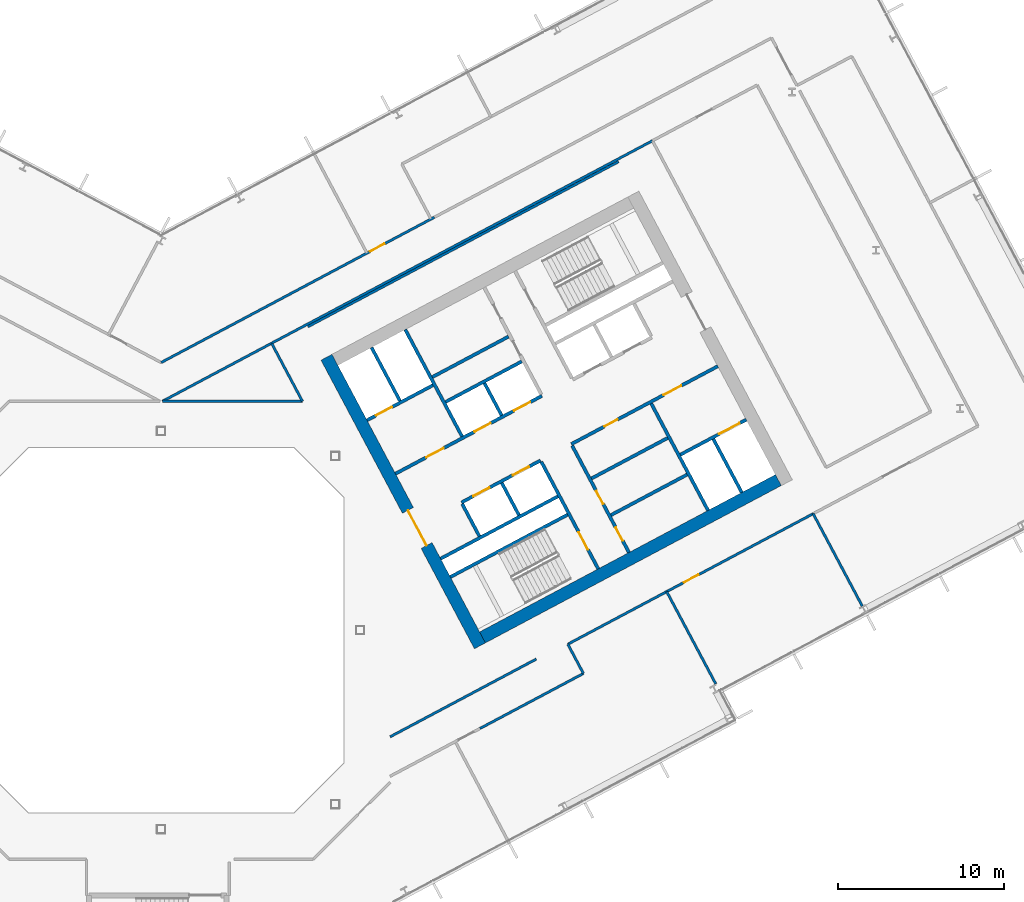
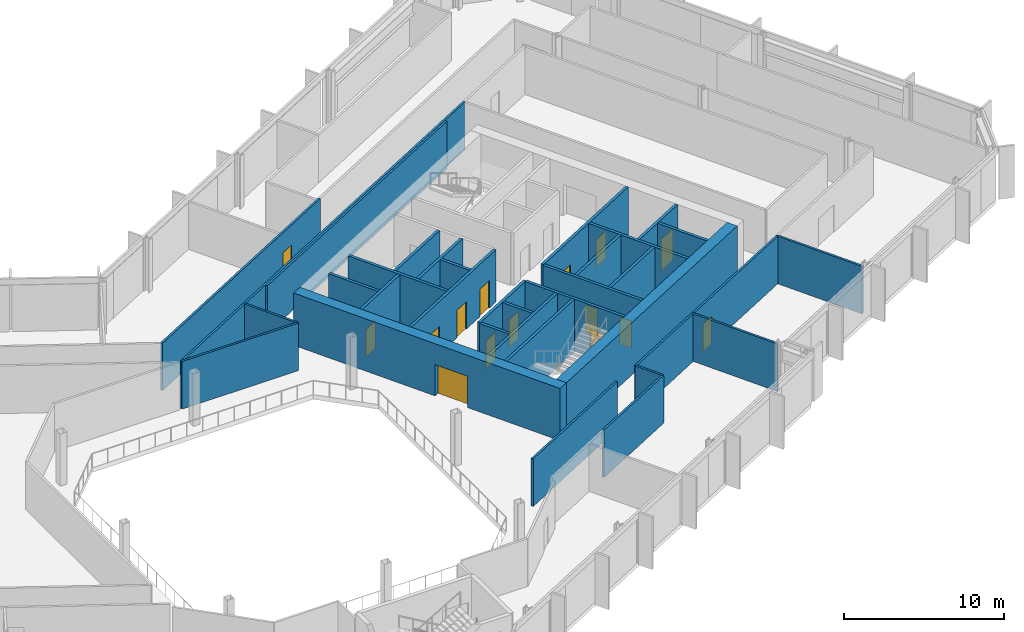
# One storey, part 16 of 28: 33 walls, 15 doors, 15 openings.
"""IFC4 building model written with IfcOpenShell, lengths in metres."""

from ifc_helpers import new_model, si_unit, direction, frame, frame_2d, origin, place, context, subcontext, project, spatial, rectangle, extrude, material, layer, layer_set, type_object, element, fill, save


model = new_model("IFC4")

# Units and contexts
model_context = context("Model", 3, precision=1e-05, world=origin(), true_north=direction((0.0, 1.0)))
body_context = subcontext(model_context, "Body", "Model", "MODEL_VIEW")
ifc_project = project(units=[si_unit("LENGTHUNIT", "METRE"), si_unit("AREAUNIT", "SQUARE_METRE"), si_unit("VOLUMEUNIT", "CUBIC_METRE"), si_unit("PLANEANGLEUNIT", "RADIAN"), si_unit("MASSUNIT", "GRAM", prefix="KILO")], contexts=[model_context])

# Site, building, storey
site_placement = place(None, origin())
site = spatial("IfcSite", under=ifc_project, at=site_placement, CompositionType="ELEMENT")
building_placement = place(site_placement, origin())
building = spatial("IfcBuilding", under=site, at=building_placement, Name="Cormorant Relay Tower", CompositionType="ELEMENT")
storey_placement = place(building_placement, frame((0.0, 0.0, 130.199951171875)))
storey = spatial("IfcBuildingStorey", under=building, at=storey_placement, Name="L26", CompositionType="ELEMENT", Elevation=130.199951171875)

# Walls
ifc_material_1 = material(Name="Concrete 40 MPa", Category="concrete")
ifc_layer_1 = layer(ifc_material_1, 0.199951171875)
ifc_layer_set_1 = layer_set([ifc_layer_1], Name="Core internal wall 200")
wall_type_1 = type_object("IfcWallType", Name="Core internal wall 200", PredefinedType="SOLIDWALL", material=ifc_layer_set_1)
for number, where, z_axis, x_axis, name in (
    (1, (21.567626953125, 6.9375, 0.0), (0.0, 0.0, 1.0), (-0.469533832133, 0.882914480843, 0.0), "L26 core B shaft and room wall"),
    (2, (20.522216796875, 12.950439453125, 0.0), (0.0, 0.0, 1.0), (-0.469401318492, 0.882984938828, 0.0), "L26 core B shaft and room wall"),
):
    element("IfcWall", number, at=place(storey_placement, frame(where, z_axis=z_axis, x_axis=x_axis)), inside=storey, type_object=wall_type_1, Name=name, PredefinedType="SOLIDWALL", context=body_context, shape_type="SweptSolid", body=[
        extrude(rectangle(XDim=2.199951171875, YDim=0.199951171875, at=frame_2d((1.10009765625, 0.0))), origin(), (0.0, 0.0, 1.0), 4.0),
    ])
for number, where, z_axis, x_axis, name in (
    (3, (27.11474609375, 6.942138671875, 0.0), (0.0, 0.0, 1.0), (0.882934506056, 0.469496174655, 0.0), "L26 core B shaft and room wall"),
    (4, (16.3486328125, 15.26171875, 0.0), (0.0, 0.0, 1.0), (0.882953967957, 0.469459572775, 0.0), "L26 core B shaft and room wall"),
):
    element("IfcWall", number, at=place(storey_placement, frame(where, z_axis=z_axis, x_axis=x_axis)), inside=storey, type_object=wall_type_1, Name=name, PredefinedType="SOLIDWALL", context=body_context, shape_type="SweptSolid", body=[
        extrude(rectangle(XDim=5.199951171875, YDim=0.199951171875, at=frame_2d((2.60009765625, 0.0))), origin(), (0.0, 0.0, 1.0), 4.0),
    ])
ifc_material_2 = material(Name="Concrete 50 MPa", Category="concrete")
ifc_layer_2 = layer(ifc_material_2, 0.199951171875)
ifc_layer_set_2 = layer_set([ifc_layer_2], Name="Core shaft wall 200")
wall_type_2 = type_object("IfcWallType", Name="Core shaft wall 200", PredefinedType="SHEAR", material=ifc_layer_set_2)
wall_1_placement = place(storey_placement, frame((14.39404296875, 13.825927734375, 0.0), z_axis=(0.0, 0.0, 1.0), x_axis=(-0.469494272526, 0.882935517501, 0.0)))
element("IfcWall", 5, at=wall_1_placement, inside=storey, type_object=wall_type_2, Name="L26 core B shaft wall", PredefinedType="SHEAR", context=body_context, shape_type="SweptSolid", body=[
    extrude(rectangle(XDim=3.64990234375, YDim=0.199951171875, at=frame_2d((1.824951171875, 0.0))), origin(), (0.0, 0.0, 1.0), 4.0),
])
wall_2_placement = place(storey_placement, frame((19.18359375, 5.669921875, 0.0), z_axis=(0.0, 0.0, 1.0), x_axis=(-0.4694473164, 0.882960484464, 0.0)))
element("IfcWall", 6, at=wall_2_placement, inside=storey, type_object=wall_type_2, Name="L26 core B shaft wall", PredefinedType="SHEAR", context=body_context, shape_type="SweptSolid", body=[
    extrude(rectangle(XDim=2.199951171875, YDim=0.199951171875, at=frame_2d((1.10009765625, 0.0))), origin(), (0.0, 0.0, 1.0), 4.0),
])
wall_3_placement = place(storey_placement, frame((18.138427734375, 11.682861328125, 0.0), z_axis=(0.0, 0.0, 1.0), x_axis=(-0.469480409012, 0.88294288918, 0.0)))
element("IfcWall", 7, at=wall_3_placement, inside=storey, type_object=wall_type_2, Name="L26 core B shaft wall", PredefinedType="SHEAR", context=body_context, shape_type="SweptSolid", body=[
    extrude(rectangle(XDim=7.300048828125, YDim=0.199951171875, at=frame_2d((3.64990234375, 0.0))), origin(), (0.0, 0.0, 1.0), 4.0),
])

# Wall, opening, door
wall_4_placement = place(storey_placement, frame((26.345947265625, 3.701904296875, 0.0), z_axis=(0.0, 0.0, 1.0), x_axis=(-0.469480409012, 0.88294288918, 0.0)))
wall_4 = element("IfcWall", 8, at=wall_4_placement, inside=storey, type_object=wall_type_2, Name="L26 core B shaft wall", PredefinedType="SHEAR", context=body_context, shape_type="SweptSolid", body=[
    extrude(rectangle(XDim=7.300048828125, YDim=0.199951171875, at=frame_2d((3.64990234375, 0.0))), origin(), (0.0, 0.0, 1.0), 4.0),
])
opening_1_placement = place(wall_4_placement, frame((1.300048828125, 0.0, 0.0)))
opening_1 = element("IfcOpeningElement", 9, at=opening_1_placement, cuts=wall_4, Name="Opening CDB-036", PredefinedType="OPENING", context=body_context, shape_type="SweptSolid", body=[
    extrude(rectangle(XDim=1.199951171875, YDim=2.10009765625, at=frame_2d((0.60009765625, 1.050048828125))), frame((0.0, 0.10986328125, 0.0), z_axis=(0.0, -1.0, 0.0), x_axis=(1.0, 0.0, 0.0)), (0.0, 0.0, 1.0), 0.219970703125),
])
ifc_material_3 = material(Name="Steel fire door", Category="steel")
door_type_1 = type_object("IfcDoorType", Name="Core stair door 1200x2100", OperationType="SINGLE_SWING_LEFT", PredefinedType="DOOR", material=ifc_material_3)
door_1_placement = place(opening_1_placement, origin())
door_1 = element("IfcDoor", 10, at=door_1_placement, inside=storey, type_object=door_type_1, Name="Core stair door 1200x2100", OperationType="SINGLE_SWING_RIGHT", OverallHeight=2.10009765625, OverallWidth=1.199951171875, PredefinedType="DOOR", context=body_context, shape_type="SweptSolid", body=[
    extrude(rectangle(XDim=1.199951171875, YDim=2.10009765625, at=frame_2d((0.60009765625, 1.050048828125))), frame((0.0, 0.02490234375, 0.0), z_axis=(0.0, -1.0, 0.0), x_axis=(1.0, 0.0, 0.0)), (0.0, 0.0, 1.0), 0.050048828125),
])
fill(opening_1, door_1)

# Wall, openings, doors
wall_5_placement = place(storey_placement, frame((28.199951171875, 4.687744140625, 0.0), z_axis=(0.0, 0.0, 1.0), x_axis=(-0.469454336211, 0.882956752176, 0.0)))
wall_5 = element("IfcWall", 11, at=wall_5_placement, inside=storey, type_object=wall_type_2, Name="L26 core B shaft wall", PredefinedType="SHEAR", context=body_context, shape_type="SweptSolid", body=[
    extrude(rectangle(XDim=7.300048828125, YDim=0.199951171875, at=frame_2d((3.64990234375, 0.0))), origin(), (0.0, 0.0, 1.0), 4.0),
])
opening_2_placement = place(wall_5_placement, frame((0.800048828125, 0.0, 0.0)))
opening_2 = element("IfcOpeningElement", 12, at=opening_2_placement, cuts=wall_5, Name="Opening CDD-194", PredefinedType="OPENING", context=body_context, shape_type="SweptSolid", body=[
    extrude(rectangle(XDim=0.89990234375, YDim=2.10009765625, at=frame_2d((0.449951171875, 1.050048828125))), frame((0.0, 0.10986328125, 0.0), z_axis=(0.0, -1.0, 0.0), x_axis=(1.0, 0.0, 0.0)), (0.0, 0.0, 1.0), 0.219970703125),
])
opening_3_placement = place(wall_5_placement, frame((3.300048828125, 0.0, 0.0)))
opening_3 = element("IfcOpeningElement", 13, at=opening_3_placement, cuts=wall_5, Name="Opening CDD-195", PredefinedType="OPENING", context=body_context, shape_type="SweptSolid", body=[
    extrude(rectangle(XDim=0.89990234375, YDim=2.10009765625, at=frame_2d((0.449951171875, 1.050048828125))), frame((0.0, 0.10986328125, 0.0), z_axis=(0.0, -1.0, 0.0), x_axis=(1.0, 0.0, 0.0)), (0.0, 0.0, 1.0), 0.219970703125),
])
ifc_material_4 = material(Name="Steel fire door", Category="steel")
door_type_2 = type_object("IfcDoorType", Name="Core room door 900x2100", OperationType="SINGLE_SWING_LEFT", PredefinedType="DOOR", material=ifc_material_4)
door_2_placement = place(opening_2_placement, frame((0.89990234375, 0.0, 0.0), z_axis=(0.0, 0.0, 1.0), x_axis=(-1.0, 0.0, 0.0)))
door_2 = element("IfcDoor", 14, at=door_2_placement, inside=storey, type_object=door_type_2, Name="Core room door 900x2100", OperationType="SINGLE_SWING_LEFT", OverallHeight=2.10009765625, OverallWidth=0.89990234375, PredefinedType="DOOR", context=body_context, shape_type="SweptSolid", body=[
    extrude(rectangle(XDim=0.89990234375, YDim=2.10009765625, at=frame_2d((0.449951171875, 1.050048828125))), frame((0.0, 0.02490234375, 0.0), z_axis=(0.0, -1.0, 0.0), x_axis=(1.0, 0.0, 0.0)), (0.0, 0.0, 1.0), 0.050048828125),
])
fill(opening_2, door_2)
door_3_placement = place(opening_3_placement, frame((0.89990234375, 0.0, 0.0), z_axis=(0.0, 0.0, 1.0), x_axis=(-1.0, 0.0, 0.0)))
door_3 = element("IfcDoor", 15, at=door_3_placement, inside=storey, type_object=door_type_2, Name="Core room door 900x2100", OperationType="SINGLE_SWING_LEFT", OverallHeight=2.10009765625, OverallWidth=0.89990234375, PredefinedType="DOOR", context=body_context, shape_type="SweptSolid", body=[
    extrude(rectangle(XDim=0.89990234375, YDim=2.10009765625, at=frame_2d((0.449951171875, 1.050048828125))), frame((0.0, 0.02490234375, 0.0), z_axis=(0.0, -1.0, 0.0), x_axis=(1.0, 0.0, 0.0)), (0.0, 0.0, 1.0), 0.050048828125),
])
fill(opening_3, door_3)

# Walls
wall_6_placement = place(storey_placement, frame((32.968017578125, 7.222900390625, 0.0), z_axis=(0.0, 0.0, 1.0), x_axis=(-0.469480409012, 0.88294288918, 0.0)))
element("IfcWall", 16, at=wall_6_placement, inside=storey, type_object=wall_type_2, Name="L26 core B shaft wall", PredefinedType="SHEAR", context=body_context, shape_type="SweptSolid", body=[
    extrude(rectangle(XDim=7.300048828125, YDim=0.199951171875, at=frame_2d((3.64990234375, 0.0))), origin(), (0.0, 0.0, 1.0), 4.0),
])
wall_7_placement = place(storey_placement, frame((34.998779296875, 8.302734375, 0.0), z_axis=(0.0, 0.0, 1.0), x_axis=(-0.4694665462, 0.882950260207, 0.0)))
element("IfcWall", 17, at=wall_7_placement, inside=storey, type_object=wall_type_2, Name="L26 core B shaft wall", PredefinedType="SHEAR", context=body_context, shape_type="SweptSolid", body=[
    extrude(rectangle(XDim=3.650146484375, YDim=0.199951171875, at=frame_2d((1.8251953125, 0.0))), origin(), (0.0, 0.0, 1.0), 4.0),
])
wall_8_placement = place(storey_placement, frame((17.43359375, 3.210205078125, 0.0), z_axis=(0.0, 0.0, 1.0), x_axis=(0.882940221191, 0.469485426614, 0.0)))
element("IfcWall", 18, at=wall_8_placement, inside=storey, type_object=wall_type_2, Name="L26 core B shaft wall", PredefinedType="SHEAR", context=body_context, shape_type="SweptSolid", body=[
    extrude(rectangle(XDim=8.0, YDim=0.199951171875, at=frame_2d((4.0, 0.0))), origin(), (0.0, 0.0, 1.0), 4.0),
])

# Wall, opening, door
wall_9_placement = place(storey_placement, frame((31.295654296875, 10.5810546875, 0.0), z_axis=(0.0, 0.0, 1.0), x_axis=(0.882960433586, 0.469447412093, 0.0)))
wall_9 = element("IfcWall", 19, at=wall_9_placement, inside=storey, type_object=wall_type_2, Name="L26 core B shaft wall", PredefinedType="SHEAR", context=body_context, shape_type="SweptSolid", body=[
    extrude(rectangle(XDim=4.5, YDim=0.199951171875, at=frame_2d((2.25, 0.0))), origin(), (0.0, 0.0, 1.0), 4.0),
])
opening_4_placement = place(wall_9_placement, frame((2.64990234375, 0.0, 0.0)))
opening_4 = element("IfcOpeningElement", 20, at=opening_4_placement, cuts=wall_9, Name="Opening LD3-014", PredefinedType="OPENING", context=body_context, shape_type="SweptSolid", body=[
    extrude(rectangle(XDim=1.39990234375, YDim=2.39990234375, at=frame_2d((0.699951171875, 1.199951171875))), frame((0.0, 0.10986328125, 0.0), z_axis=(0.0, -1.0, 0.0), x_axis=(1.0, 0.0, 0.0)), (0.0, 0.0, 1.0), 0.219970703125),
])
ifc_material_5 = material(Name="Stainless steel 316", Category="steel")
door_type_3 = type_object("IfcDoorType", Name="Lift landing door 1400x2400", OperationType="DOUBLE_DOOR_SLIDING", PredefinedType="DOOR", material=ifc_material_5)
door_4_placement = place(opening_4_placement, origin())
door_4 = element("IfcDoor", 21, at=door_4_placement, inside=storey, type_object=door_type_3, Name="SV2 landing door", OperationType="DOUBLE_DOOR_SLIDING", OverallHeight=2.39990234375, OverallWidth=1.39990234375, PredefinedType="DOOR", context=body_context, shape_type="SweptSolid", body=[
    extrude(rectangle(XDim=1.39990234375, YDim=2.39990234375, at=frame_2d((0.699951171875, 1.199951171875))), frame((0.0, 0.02490234375, 0.0), z_axis=(0.0, -1.0, 0.0), x_axis=(1.0, 0.0, 0.0)), (0.0, 0.0, 1.0), 0.050048828125),
])
fill(opening_4, door_4)

# Walls
wall_10_placement = place(storey_placement, frame((16.8466796875, 4.31396484375, 0.0), z_axis=(0.0, 0.0, 1.0), x_axis=(0.882940221191, 0.469485426614, 0.0)))
element("IfcWall", 22, at=wall_10_placement, inside=storey, type_object=wall_type_2, Name="L26 core B shaft wall", PredefinedType="SHEAR", context=body_context, shape_type="SweptSolid", body=[
    extrude(rectangle(XDim=8.0, YDim=0.199951171875, at=frame_2d((4.0, 0.0))), origin(), (0.0, 0.0, 1.0), 4.0),
])
wall_11_placement = place(storey_placement, frame((25.94091796875, 9.149658203125, 0.0), z_axis=(0.0, 0.0, 1.0), x_axis=(0.882953967957, 0.469459572775, 0.0)))
element("IfcWall", 23, at=wall_11_placement, inside=storey, type_object=wall_type_2, Name="L26 core B shaft wall", PredefinedType="SHEAR", context=body_context, shape_type="SweptSolid", body=[
    extrude(rectangle(XDim=5.199951171875, YDim=0.199951171875, at=frame_2d((2.60009765625, 0.0))), origin(), (0.0, 0.0, 1.0), 4.0),
])

# Wall, openings, doors
wall_12_placement = place(storey_placement, frame((18.103759765625, 7.70068359375, 0.0), z_axis=(0.0, 0.0, 1.0), x_axis=(0.882952937579, 0.469461510692, 0.0)))
wall_12 = element("IfcWall", 24, at=wall_12_placement, inside=storey, type_object=wall_type_2, Name="L26 core B shaft wall", PredefinedType="SHEAR", context=body_context, shape_type="SweptSolid", body=[
    extrude(rectangle(XDim=5.400146484375, YDim=0.199951171875, at=frame_2d((2.7001953125, 0.0))), origin(), (0.0, 0.0, 1.0), 4.0),
])
opening_5_placement = place(wall_12_placement, frame((0.800048828125, 0.0, 0.0)))
opening_5 = element("IfcOpeningElement", 25, at=opening_5_placement, cuts=wall_12, Name="Opening LD1-048", PredefinedType="OPENING", context=body_context, shape_type="SweptSolid", body=[
    extrude(rectangle(XDim=1.10009765625, YDim=2.10009765625, at=frame_2d((0.550048828125, 1.050048828125))), frame((0.0, 0.10986328125, 0.0), z_axis=(0.0, -1.0, 0.0), x_axis=(1.0, 0.0, 0.0)), (0.0, 0.0, 1.0), 0.219970703125),
])
opening_6_placement = place(wall_12_placement, frame((3.5, 0.0, 0.0)))
opening_6 = element("IfcOpeningElement", 26, at=opening_6_placement, cuts=wall_12, Name="Opening LD1-049", PredefinedType="OPENING", context=body_context, shape_type="SweptSolid", body=[
    extrude(rectangle(XDim=1.10009765625, YDim=2.10009765625, at=frame_2d((0.550048828125, 1.050048828125))), frame((0.0, 0.10986328125, 0.0), z_axis=(0.0, -1.0, 0.0), x_axis=(1.0, 0.0, 0.0)), (0.0, 0.0, 1.0), 0.219970703125),
])
ifc_material_6 = material(Name="Stainless steel 316", Category="steel")
door_type_4 = type_object("IfcDoorType", Name="Lift landing door 1100x2100", OperationType="DOUBLE_DOOR_SLIDING", PredefinedType="DOOR", material=ifc_material_6)
door_5_placement = place(opening_5_placement, origin())
door_5 = element("IfcDoor", 27, at=door_5_placement, inside=storey, type_object=door_type_4, Name="LR5 landing door", OperationType="DOUBLE_DOOR_SLIDING", OverallHeight=2.10009765625, OverallWidth=1.10009765625, PredefinedType="DOOR", context=body_context, shape_type="SweptSolid", body=[
    extrude(rectangle(XDim=1.10009765625, YDim=2.10009765625, at=frame_2d((0.550048828125, 1.050048828125))), frame((0.0, 0.02490234375, 0.0), z_axis=(0.0, -1.0, 0.0), x_axis=(1.0, 0.0, 0.0)), (0.0, 0.0, 1.0), 0.050048828125),
])
fill(opening_5, door_5)
door_6_placement = place(opening_6_placement, origin())
door_6 = element("IfcDoor", 28, at=door_6_placement, inside=storey, type_object=door_type_4, Name="LR6 landing door", OperationType="DOUBLE_DOOR_SLIDING", OverallHeight=2.10009765625, OverallWidth=1.10009765625, PredefinedType="DOOR", context=body_context, shape_type="SweptSolid", body=[
    extrude(rectangle(XDim=1.10009765625, YDim=2.10009765625, at=frame_2d((0.550048828125, 1.050048828125))), frame((0.0, 0.02490234375, 0.0), z_axis=(0.0, -1.0, 0.0), x_axis=(1.0, 0.0, 0.0)), (0.0, 0.0, 1.0), 0.050048828125),
])
fill(opening_6, door_6)

wall_13_placement = place(storey_placement, frame((24.72607421875, 11.2216796875, 0.0), z_axis=(0.0, 0.0, 1.0), x_axis=(0.882940221191, 0.469485426614, 0.0)))
wall_13 = element("IfcWall", 29, at=wall_13_placement, inside=storey, type_object=wall_type_2, Name="L26 core B shaft wall", PredefinedType="SHEAR", context=body_context, shape_type="SweptSolid", body=[
    extrude(rectangle(XDim=10.0, YDim=0.199951171875, at=frame_2d((5.0, 0.0))), origin(), (0.0, 0.0, 1.0), 4.0),
])
opening_7_placement = place(wall_13_placement, frame((6.300048828125, 0.0, 0.0)))
opening_7 = element("IfcOpeningElement", 30, at=opening_7_placement, cuts=wall_13, Name="Opening CDC-030", PredefinedType="OPENING", context=body_context, shape_type="SweptSolid", body=[
    extrude(rectangle(XDim=1.199951171875, YDim=2.10009765625, at=frame_2d((0.60009765625, 1.050048828125))), frame((0.0, 0.10986328125, 0.0), z_axis=(0.0, -1.0, 0.0), x_axis=(1.0, 0.0, 0.0)), (0.0, 0.0, 1.0), 0.219970703125),
])
opening_8_placement = place(wall_13_placement, frame((2.25, 0.0, 0.0)))
opening_8 = element("IfcOpeningElement", 31, at=opening_8_placement, cuts=wall_13, Name="Opening CDD-191", PredefinedType="OPENING", context=body_context, shape_type="SweptSolid", body=[
    extrude(rectangle(XDim=0.89990234375, YDim=2.10009765625, at=frame_2d((0.449951171875, 1.050048828125))), frame((0.0, 0.10986328125, 0.0), z_axis=(0.0, -1.0, 0.0), x_axis=(1.0, 0.0, 0.0)), (0.0, 0.0, 1.0), 0.219970703125),
])
ifc_material_7 = material(Name="Steel fire door", Category="steel")
door_type_5 = type_object("IfcDoorType", Name="Core lobby door 1200x2100", OperationType="SINGLE_SWING_LEFT", PredefinedType="DOOR", material=ifc_material_7)
door_7_placement = place(opening_7_placement, origin())
door_7 = element("IfcDoor", 32, at=door_7_placement, inside=storey, type_object=door_type_5, Name="Core lobby door 1200x2100", OperationType="SINGLE_SWING_LEFT", OverallHeight=2.10009765625, OverallWidth=1.199951171875, PredefinedType="DOOR", context=body_context, shape_type="SweptSolid", body=[
    extrude(rectangle(XDim=1.199951171875, YDim=2.10009765625, at=frame_2d((0.60009765625, 1.050048828125))), frame((0.0, 0.02490234375, 0.0), z_axis=(0.0, -1.0, 0.0), x_axis=(1.0, 0.0, 0.0)), (0.0, 0.0, 1.0), 0.050048828125),
])
fill(opening_7, door_7)
door_8_placement = place(opening_8_placement, origin())
door_8 = element("IfcDoor", 33, at=door_8_placement, inside=storey, type_object=door_type_2, Name="Core room door 900x2100", OperationType="SINGLE_SWING_LEFT", OverallHeight=2.10009765625, OverallWidth=0.89990234375, PredefinedType="DOOR", context=body_context, shape_type="SweptSolid", body=[
    extrude(rectangle(XDim=0.89990234375, YDim=2.10009765625, at=frame_2d((0.449951171875, 1.050048828125))), frame((0.0, 0.02490234375, 0.0), z_axis=(0.0, -1.0, 0.0), x_axis=(1.0, 0.0, 0.0)), (0.0, 0.0, 1.0), 0.050048828125),
])
fill(opening_8, door_8)

wall_14_placement = place(storey_placement, frame((14.123779296875, 9.43505859375, 0.0), z_axis=(0.0, 0.0, 1.0), x_axis=(0.882940221191, 0.469485426614, 0.0)))
wall_14 = element("IfcWall", 34, at=wall_14_placement, inside=storey, type_object=wall_type_2, Name="L26 core B shaft wall", PredefinedType="SHEAR", context=body_context, shape_type="SweptSolid", body=[
    extrude(rectangle(XDim=10.0, YDim=0.199951171875, at=frame_2d((5.0, 0.0))), origin(), (0.0, 0.0, 1.0), 4.0),
])
opening_9_placement = place(wall_14_placement, frame((2.10009765625, 0.0, 0.0)))
opening_9 = element("IfcOpeningElement", 35, at=opening_9_placement, cuts=wall_14, Name="Opening CDC-027", PredefinedType="OPENING", context=body_context, shape_type="SweptSolid", body=[
    extrude(rectangle(XDim=1.199951171875, YDim=2.10009765625, at=frame_2d((0.60009765625, 1.050048828125))), frame((0.0, 0.10986328125, 0.0), z_axis=(0.0, -1.0, 0.0), x_axis=(1.0, 0.0, 0.0)), (0.0, 0.0, 1.0), 0.219970703125),
])
opening_10_placement = place(wall_14_placement, frame((5.39990234375, 0.0, 0.0)))
opening_10 = element("IfcOpeningElement", 36, at=opening_10_placement, cuts=wall_14, Name="Opening LD1-044", PredefinedType="OPENING", context=body_context, shape_type="SweptSolid", body=[
    extrude(rectangle(XDim=1.10009765625, YDim=2.10009765625, at=frame_2d((0.550048828125, 1.050048828125))), frame((0.0, 0.10986328125, 0.0), z_axis=(0.0, -1.0, 0.0), x_axis=(1.0, 0.0, 0.0)), (0.0, 0.0, 1.0), 0.219970703125),
])
opening_11_placement = place(wall_14_placement, frame((8.10009765625, 0.0, 0.0)))
opening_11 = element("IfcOpeningElement", 37, at=opening_11_placement, cuts=wall_14, Name="Opening LD1-045", PredefinedType="OPENING", context=body_context, shape_type="SweptSolid", body=[
    extrude(rectangle(XDim=1.10009765625, YDim=2.10009765625, at=frame_2d((0.550048828125, 1.050048828125))), frame((0.0, 0.10986328125, 0.0), z_axis=(0.0, -1.0, 0.0), x_axis=(1.0, 0.0, 0.0)), (0.0, 0.0, 1.0), 0.219970703125),
])
door_9_placement = place(opening_9_placement, origin())
door_9 = element("IfcDoor", 38, at=door_9_placement, inside=storey, type_object=door_type_5, Name="Core lobby door 1200x2100", OperationType="SINGLE_SWING_RIGHT", OverallHeight=2.10009765625, OverallWidth=1.199951171875, PredefinedType="DOOR", context=body_context, shape_type="SweptSolid", body=[
    extrude(rectangle(XDim=1.199951171875, YDim=2.10009765625, at=frame_2d((0.60009765625, 1.050048828125))), frame((0.0, 0.02490234375, 0.0), z_axis=(0.0, -1.0, 0.0), x_axis=(1.0, 0.0, 0.0)), (0.0, 0.0, 1.0), 0.050048828125),
])
fill(opening_9, door_9)
door_10_placement = place(opening_10_placement, origin())
door_10 = element("IfcDoor", 39, at=door_10_placement, inside=storey, type_object=door_type_4, Name="LR1 landing door", OperationType="DOUBLE_DOOR_SLIDING", OverallHeight=2.10009765625, OverallWidth=1.10009765625, PredefinedType="DOOR", context=body_context, shape_type="SweptSolid", body=[
    extrude(rectangle(XDim=1.10009765625, YDim=2.10009765625, at=frame_2d((0.550048828125, 1.050048828125))), frame((0.0, 0.02490234375, 0.0), z_axis=(0.0, -1.0, 0.0), x_axis=(1.0, 0.0, 0.0)), (0.0, 0.0, 1.0), 0.050048828125),
])
fill(opening_10, door_10)
door_11_placement = place(opening_11_placement, origin())
door_11 = element("IfcDoor", 40, at=door_11_placement, inside=storey, type_object=door_type_4, Name="LR2 landing door", OperationType="DOUBLE_DOOR_SLIDING", OverallHeight=2.10009765625, OverallWidth=1.10009765625, PredefinedType="DOOR", context=body_context, shape_type="SweptSolid", body=[
    extrude(rectangle(XDim=1.10009765625, YDim=2.10009765625, at=frame_2d((0.550048828125, 1.050048828125))), frame((0.0, 0.02490234375, 0.0), z_axis=(0.0, -1.0, 0.0), x_axis=(1.0, 0.0, 0.0)), (0.0, 0.0, 1.0), 0.050048828125),
])
fill(opening_11, door_11)

# Wall
wall_15_placement = place(storey_placement, frame((17.146728515625, 13.7607421875, 0.0), z_axis=(0.0, 0.0, 1.0), x_axis=(0.882964314875, 0.469440111896, 0.0)))
element("IfcWall", 41, at=wall_15_placement, inside=storey, type_object=wall_type_2, Name="L26 core B shaft wall", PredefinedType="SHEAR", context=body_context, shape_type="SweptSolid", body=[
    extrude(rectangle(XDim=5.2001953125, YDim=0.199951171875, at=frame_2d((2.60009765625, 0.0))), origin(), (0.0, 0.0, 1.0), 4.0),
])

# Wall, opening, door
wall_16_placement = place(storey_placement, frame((12.41015625, 12.657958984375, 0.0), z_axis=(0.0, 0.0, 1.0), x_axis=(0.8829484765, 0.469469900894, 0.0)))
wall_16 = element("IfcWall", 42, at=wall_16_placement, inside=storey, type_object=wall_type_2, Name="L26 core B shaft wall", PredefinedType="SHEAR", context=body_context, shape_type="SweptSolid", body=[
    extrude(rectangle(XDim=4.499755859375, YDim=0.199951171875, at=frame_2d((2.25, 0.0))), origin(), (0.0, 0.0, 1.0), 4.0),
])
opening_12_placement = place(wall_16_placement, frame((0.60009765625, 0.0, 0.0)))
opening_12 = element("IfcOpeningElement", 43, at=opening_12_placement, cuts=wall_16, Name="Opening LD1-050", PredefinedType="OPENING", context=body_context, shape_type="SweptSolid", body=[
    extrude(rectangle(XDim=1.10009765625, YDim=2.10009765625, at=frame_2d((0.550048828125, 1.050048828125))), frame((0.0, 0.10986328125, 0.0), z_axis=(0.0, -1.0, 0.0), x_axis=(1.0, 0.0, 0.0)), (0.0, 0.0, 1.0), 0.219970703125),
])
door_12_placement = place(opening_12_placement, origin())
door_12 = element("IfcDoor", 44, at=door_12_placement, inside=storey, type_object=door_type_4, Name="FF2 landing door", OperationType="DOUBLE_DOOR_SLIDING", OverallHeight=2.10009765625, OverallWidth=1.10009765625, PredefinedType="DOOR", context=body_context, shape_type="SweptSolid", body=[
    extrude(rectangle(XDim=1.10009765625, YDim=2.10009765625, at=frame_2d((0.550048828125, 1.050048828125))), frame((0.0, 0.02490234375, 0.0), z_axis=(0.0, -1.0, 0.0), x_axis=(1.0, 0.0, 0.0)), (0.0, 0.0, 1.0), 0.050048828125),
])
fill(opening_12, door_12)

ifc_material_8 = material(Name="Concrete 60 MPa", Category="concrete")
ifc_layer_3 = layer(ifc_material_8, 0.75)
ifc_layer_set_3 = layer_set([ifc_layer_3], Name="Core wall 750")
wall_type_3 = type_object("IfcWallType", Name="Core wall 750", PredefinedType="SHEAR", material=ifc_layer_set_3)
wall_17_placement = place(storey_placement, frame((19.215087890625, -0.93896484375, 0.0), z_axis=(0.0, 0.0, 1.0), x_axis=(-0.469479580143, 0.882943329908, 0.0)))
wall_17 = element("IfcWall", 45, at=wall_17_placement, inside=storey, type_object=wall_type_3, Name="L26 core B wall", PredefinedType="SHEAR", context=body_context, shape_type="SweptSolid", body=[
    extrude(rectangle(XDim=19.699951171875, YDim=0.75, at=frame_2d((9.85009765625, 0.0))), origin(), (0.0, 0.0, 1.0), 4.0),
])
opening_13_placement = place(wall_17_placement, frame((6.85009765625, 0.0, 0.0)))
opening_13 = element("IfcOpeningElement", 46, at=opening_13_placement, cuts=wall_17, Name="Opening CDA-031", PredefinedType="OPENING", context=body_context, shape_type="SweptSolid", body=[
    extrude(rectangle(XDim=2.39990234375, YDim=2.39990234375, at=frame_2d((1.199951171875, 1.199951171875))), frame((0.0, 0.385009765625, 0.0), z_axis=(0.0, -1.0, 0.0), x_axis=(1.0, 0.0, 0.0)), (0.0, 0.0, 1.0), 0.77001953125),
])
ifc_material_9 = material(Name="Steel fire door", Category="steel")
door_type_6 = type_object("IfcDoorType", Name="Core lobby door 2400x2400", OperationType="DOUBLE_DOOR_SINGLE_SWING", PredefinedType="DOOR", material=ifc_material_9)
door_13_placement = place(opening_13_placement, origin())
door_13 = element("IfcDoor", 47, at=door_13_placement, inside=storey, type_object=door_type_6, Name="Core lobby door 2400x2400", OperationType="DOUBLE_DOOR_SINGLE_SWING", OverallHeight=2.39990234375, OverallWidth=2.39990234375, PredefinedType="DOOR", context=body_context, shape_type="SweptSolid", body=[
    extrude(rectangle(XDim=2.39990234375, YDim=2.39990234375, at=frame_2d((1.199951171875, 1.199951171875))), frame((0.0, 0.02490234375, 0.0), z_axis=(0.0, -1.0, 0.0), x_axis=(1.0, 0.0, 0.0)), (0.0, 0.0, 1.0), 0.050048828125),
])
fill(opening_13, door_13)

# Wall
wall_18_placement = place(storey_placement, frame((19.3701171875, -0.431884765625, 0.0), z_axis=(0.0, 0.0, 1.0), x_axis=(0.88294509198, 0.469476266226, 0.0)))
element("IfcWall", 48, at=wall_18_placement, inside=storey, type_object=wall_type_3, Name="L26 core B wall", PredefinedType="SHEAR", context=body_context, shape_type="SweptSolid", body=[
    extrude(rectangle(XDim=20.199951171875, YDim=0.75, at=frame_2d((10.10009765625, 0.0))), origin(), (0.0, 0.0, 1.0), 4.0),
])

# Wall, opening, door
ifc_material_10 = material(Name="Gypsum board fire partition")
ifc_layer_4 = layer(ifc_material_10, 0.14990234375)
ifc_layer_set_4 = layer_set([ifc_layer_4], Name="Corridor partition 150 EI 60")
wall_type_4 = type_object("IfcWallType", Name="Corridor partition 150 EI 60", PredefinedType="PARTITIONING", material=ifc_layer_set_4)
wall_19_placement = place(storey_placement, frame((0.0, 16.138916015625, 0.0), z_axis=(0.0, 0.0, 1.0), x_axis=(0.882958532279, 0.469450988151, 0.0)))
wall_19 = element("IfcWall", 49, at=wall_19_placement, inside=storey, type_object=wall_type_4, Name="wall/L26/part/041", PredefinedType="PARTITIONING", context=body_context, shape_type="SweptSolid", body=[
    extrude(rectangle(XDim=18.647705078125, YDim=0.14990234375, at=frame_2d((9.32373046875, 0.0))), origin(), (0.0, 0.0, 1.0), 3.64013671875),
])
opening_14_placement = place(wall_19_placement, frame((14.25, 0.0, 0.0)))
opening_14 = element("IfcOpeningElement", 50, at=opening_14_placement, cuts=wall_19, Name="Opening DS-021", PredefinedType="OPENING", context=body_context, shape_type="SweptSolid", body=[
    extrude(rectangle(XDim=1.0, YDim=2.10009765625, at=frame_2d((0.5, 1.050048828125))), frame((0.0, 0.0849609375, 0.0), z_axis=(0.0, -1.0, 0.0), x_axis=(1.0, 0.0, 0.0)), (0.0, 0.0, 1.0), 0.169921875),
])
ifc_material_11 = material(Name="Timber door leaf", Category="wood")
door_type_7 = type_object("IfcDoorType", Name="Suite door 1000x2100", OperationType="SINGLE_SWING_LEFT", PredefinedType="DOOR", material=ifc_material_11)
door_14_placement = place(opening_14_placement, origin())
door_14 = element("IfcDoor", 51, at=door_14_placement, inside=storey, type_object=door_type_7, Name="door/L26/008", OperationType="SINGLE_SWING_LEFT", OverallHeight=2.10009765625, OverallWidth=1.0, PredefinedType="DOOR", context=body_context, shape_type="SweptSolid", body=[
    extrude(rectangle(XDim=1.0, YDim=2.10009765625, at=frame_2d((0.5, 1.050048828125))), frame((0.0, 0.02490234375, 0.0), z_axis=(0.0, -1.0, 0.0), x_axis=(1.0, 0.0, 0.0)), (0.0, 0.0, 1.0), 0.050048828125),
])
fill(opening_14, door_14)

# Walls
wall_20_placement = place(storey_placement, frame((24.514892578125, -0.842041015625, 0.0), z_axis=(0.0, 0.0, 1.0), x_axis=(0.469509609091, -0.882927362228, 0.0)))
element("IfcWall", 52, at=wall_20_placement, inside=storey, type_object=wall_type_4, Name="wall/L26/part/063", PredefinedType="PARTITIONING", context=body_context, shape_type="SweptSolid", body=[
    extrude(rectangle(XDim=1.997802734375, YDim=0.14990234375, at=frame_2d((0.9990234375, 0.0))), origin(), (0.0, 0.0, 1.0), 3.64013671875),
])
wall_21_placement = place(storey_placement, frame((25.452880859375, -2.60595703125, 0.0), z_axis=(0.0, 0.0, 1.0), x_axis=(-0.882948296906, -0.469470238663, 0.0)))
element("IfcWall", 53, at=wall_21_placement, inside=storey, type_object=wall_type_4, Name="wall/L26/part/064", PredefinedType="PARTITIONING", context=body_context, shape_type="SweptSolid", body=[
    extrude(rectangle(XDim=7.063720703125, YDim=0.14990234375, at=frame_2d((3.53173828125, 0.0))), origin(), (0.0, 0.0, 1.0), 3.64013671875),
])

# Wall, opening, door
wall_22_placement = place(storey_placement, frame((39.321044921875, 7.033935546875, 0.0), z_axis=(0.0, 0.0, 1.0), x_axis=(-0.88292452231, -0.469514949605, 0.0)))
wall_22 = element("IfcWall", 54, at=wall_22_placement, inside=storey, type_object=wall_type_4, Name="wall/L26/part/068", PredefinedType="PARTITIONING", context=body_context, shape_type="SweptSolid", body=[
    extrude(rectangle(XDim=16.7705078125, YDim=0.14990234375, at=frame_2d((8.38525390625, 0.0))), origin(), (0.0, 0.0, 1.0), 3.64013671875),
])
opening_15_placement = place(wall_22_placement, frame((7.84912109375, 0.0, 0.0)))
opening_15 = element("IfcOpeningElement", 55, at=opening_15_placement, cuts=wall_22, Name="Opening DS-020", PredefinedType="OPENING", context=body_context, shape_type="SweptSolid", body=[
    extrude(rectangle(XDim=1.0, YDim=2.10009765625, at=frame_2d((0.5, 1.050048828125))), frame((0.0, 0.0849609375, 0.0), z_axis=(0.0, -1.0, 0.0), x_axis=(1.0, 0.0, 0.0)), (0.0, 0.0, 1.0), 0.169921875),
])
door_15_placement = place(opening_15_placement, origin())
door_15 = element("IfcDoor", 56, at=door_15_placement, inside=storey, type_object=door_type_7, Name="door/L26/005", OperationType="SINGLE_SWING_RIGHT", OverallHeight=2.10009765625, OverallWidth=1.0, PredefinedType="DOOR", context=body_context, shape_type="SweptSolid", body=[
    extrude(rectangle(XDim=1.0, YDim=2.10009765625, at=frame_2d((0.5, 1.050048828125))), frame((0.0, 0.02490234375, 0.0), z_axis=(0.0, -1.0, 0.0), x_axis=(1.0, 0.0, 0.0)), (0.0, 0.0, 1.0), 0.050048828125),
])
fill(opening_15, door_15)

# Walls
wall_23_placement = place(storey_placement, frame((29.614013671875, 29.507080078125, 0.0), z_axis=(0.0, 0.0, 1.0), x_axis=(-0.88294370404, -0.469478876518, 0.0)))
element("IfcWall", 57, at=wall_23_placement, inside=storey, type_object=wall_type_4, Name="wall/L26/part/072", PredefinedType="PARTITIONING", context=body_context, shape_type="SweptSolid", body=[
    extrude(rectangle(XDim=33.456298828125, YDim=0.14990234375, at=frame_2d((16.72802734375, 0.0))), origin(), (0.0, 0.0, 1.0), 3.64013671875),
])
wall_24_placement = place(storey_placement, frame((0.073974609375, 13.800048828125, 0.0), z_axis=(0.0, 0.0, 1.0), x_axis=(1.0, 0.0, 0.0)))
element("IfcWall", 58, at=wall_24_placement, inside=storey, type_object=wall_type_4, Name="wall/L26/part/073", PredefinedType="PARTITIONING", context=body_context, shape_type="SweptSolid", body=[
    extrude(rectangle(XDim=8.444091796875, YDim=0.14990234375, at=frame_2d((4.22216796875, 0.0))), origin(), (0.0, 0.0, 1.0), 3.64013671875),
])
wall_25_placement = place(storey_placement, frame((8.51806640625, 13.800048828125, 0.0), z_axis=(0.0, 0.0, 1.0), x_axis=(-0.469333422869, 0.883021029295, 0.0)))
element("IfcWall", 59, at=wall_25_placement, inside=storey, type_object=wall_type_4, Name="wall/L26/part/074", PredefinedType="PARTITIONING", context=body_context, shape_type="SweptSolid", body=[
    extrude(rectangle(XDim=3.93994140625, YDim=0.14990234375, at=frame_2d((1.969970703125, 0.0))), origin(), (0.0, 0.0, 1.0), 3.64013671875),
])
wall_26_placement = place(storey_placement, frame((8.840087890625, 18.2958984375, 0.0), z_axis=(0.0, 0.0, 1.0), x_axis=(0.883138072777, 0.469113146705, 0.0)))
element("IfcWall", 60, at=wall_26_placement, inside=storey, type_object=wall_type_4, Name="wall/L26/part/075", PredefinedType="PARTITIONING", context=body_context, shape_type="SweptSolid", body=[
    extrude(rectangle(XDim=21.210693359375, YDim=0.14990234375, at=frame_2d((10.60546875, 0.0))), origin(), (0.0, 0.0, 1.0), 3.64013671875),
])
wall_27_placement = place(storey_placement, frame((13.800048828125, -6.423095703125, 0.0), z_axis=(0.0, 0.0, 1.0), x_axis=(0.882944014424, 0.469478292782, 0.0)))
element("IfcWall", 61, at=wall_27_placement, inside=storey, type_object=wall_type_4, Name="wall/L26/part/084", PredefinedType="PARTITIONING", context=body_context, shape_type="SweptSolid", body=[
    extrude(rectangle(XDim=9.9814453125, YDim=0.14990234375, at=frame_2d((4.99072265625, 0.0))), origin(), (0.0, 0.0, 1.0), 3.64013671875),
])
ifc_material_12 = material(Name="Gypsum board partition")
ifc_layer_5 = layer(ifc_material_12, 0.14990234375)
ifc_layer_set_5 = layer_set([ifc_layer_5], Name="Tenant partition 150")
wall_type_5 = type_object("IfcWallType", Name="Tenant partition 150", PredefinedType="PARTITIONING", material=ifc_layer_set_5)
wall_28_placement = place(storey_placement, frame((30.47412109375, 2.3291015625, 0.0), z_axis=(0.0, 0.0, 1.0), x_axis=(0.469455518244, -0.882956123706, 0.0)))
element("IfcWall", 62, at=wall_28_placement, inside=storey, type_object=wall_type_5, Name="wall/L26/part/067", PredefinedType="PARTITIONING", context=body_context, shape_type="SweptSolid", body=[
    extrude(rectangle(XDim=6.30029296875, YDim=0.14990234375, at=frame_2d((3.150146484375, 0.0))), origin(), (0.0, 0.0, 1.0), 3.64013671875),
])
wall_29_placement = place(storey_placement, frame((39.302978515625, 7.02392578125, 0.0), z_axis=(0.0, 0.0, 1.0), x_axis=(0.469333338233, -0.88302107428, 0.0)))
element("IfcWall", 63, at=wall_29_placement, inside=storey, type_object=wall_type_5, Name="wall/L26/part/077", PredefinedType="PARTITIONING", context=body_context, shape_type="SweptSolid", body=[
    extrude(rectangle(XDim=6.3134765625, YDim=0.14990234375, at=frame_2d((3.15673828125, 0.0))), origin(), (0.0, 0.0, 1.0), 3.64013671875),
])

save(model, "model.ifc")
